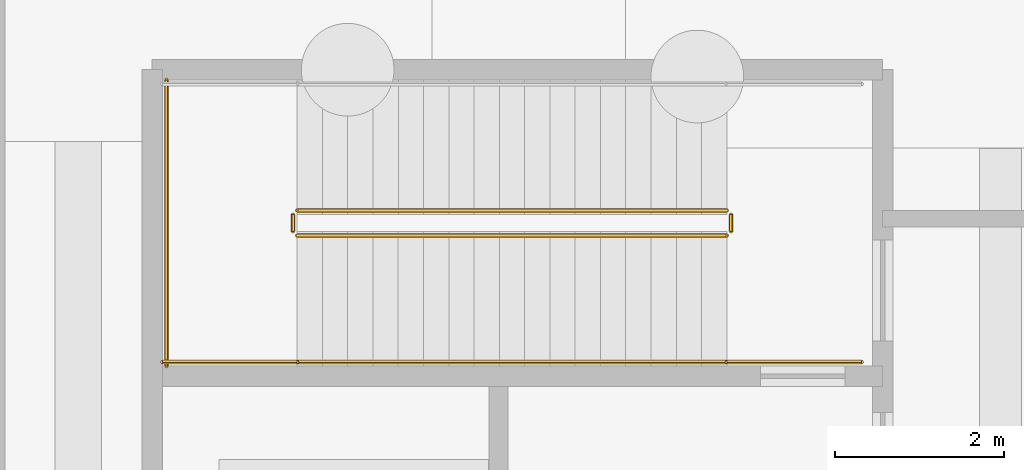
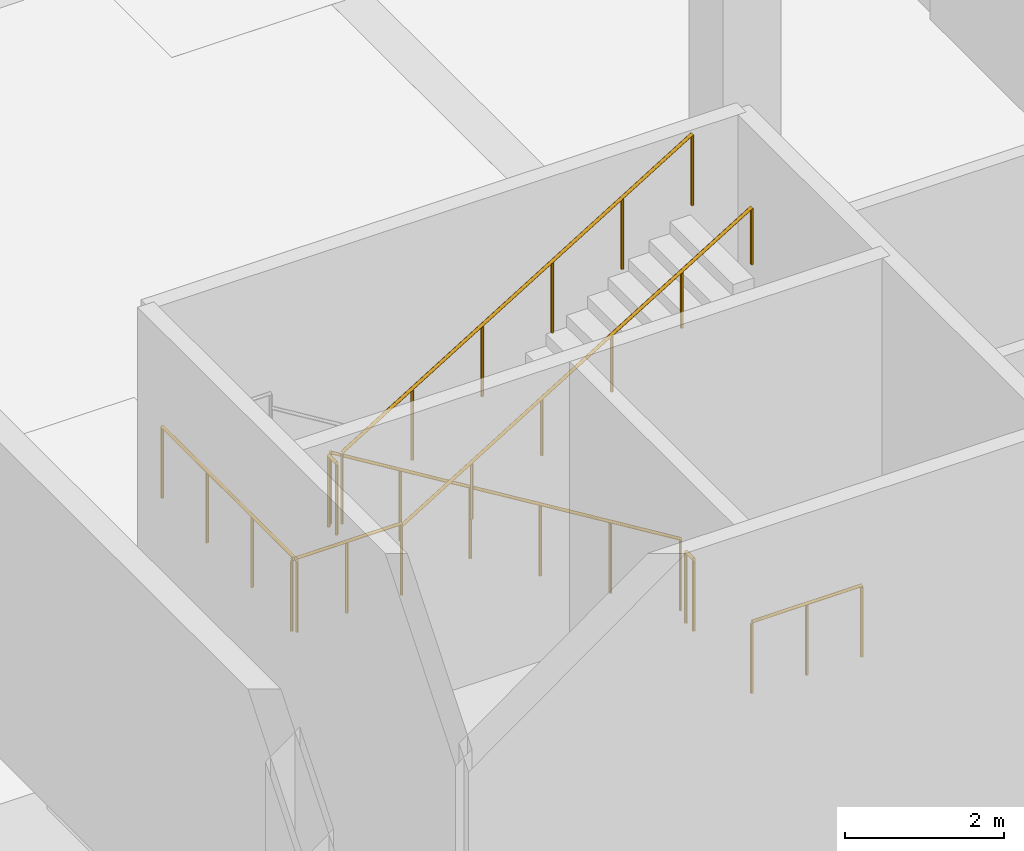
# One storey, part 100 of 117: 8 railings.
"""IFC4 building model written with IfcOpenShell, lengths in metres."""

from ifc_helpers import new_model, si_unit, direction, frame, origin, origin_2d, place, context, subcontext, project, spatial, circle, extrude, material, type_object, element, save


model = new_model("IFC4")

# Units and contexts
model_context = context("Model", 3, precision=1e-05, world=origin(), true_north=direction((0.0, 1.0)))
body_context = subcontext(model_context, "Body", "Model", "MODEL_VIEW")
ifc_project = project(units=[si_unit("LENGTHUNIT", "METRE"), si_unit("AREAUNIT", "SQUARE_METRE"), si_unit("VOLUMEUNIT", "CUBIC_METRE"), si_unit("PLANEANGLEUNIT", "RADIAN"), si_unit("MASSUNIT", "GRAM", prefix="KILO")], contexts=[model_context])

# Site, building, storey
site_placement = place(None, origin())
site = spatial("IfcSite", under=ifc_project, at=site_placement, CompositionType="ELEMENT")
building_placement = place(site_placement, origin())
building = spatial("IfcBuilding", under=site, at=building_placement, Name="Kamomehara Wholesale Market", CompositionType="ELEMENT")
storey_placement = place(building_placement, origin())
storey = spatial("IfcBuildingStorey", under=building, at=storey_placement, Name="L00", CompositionType="ELEMENT", Elevation=0.0)

# Railings
ifc_material_1 = material(Name="Steel SN400B", Category="steel")
railing_type_1 = type_object("IfcRailingType", Name="RAL-HND-900", PredefinedType="HANDRAIL", material=ifc_material_1)
railing_1_placement = place(storey_placement, frame((3.64990234375, 65.949951171875, 3.4833984375)))
element("IfcRailing", 1, at=railing_1_placement, inside=storey, type_object=railing_type_1, Name="L00 ST-03 stair handrail 2", PredefinedType="HANDRAIL", context=body_context, shape_type="SweptSolid", body=[
    extrude(circle(Radius=0.02392578125, at=origin_2d()), frame((0.0, 0.0, 0.8759765625), z_axis=(0.853283853024, 0.0, 0.521446705012), x_axis=(0.0, 1.0, 0.0)), (0.0, 0.0, 1.0), 5.97705078125),
    extrude(circle(Radius=0.02099609375, at=origin_2d()), origin(), (0.0, 0.0, 1.0), 0.851806640625),
    extrude(circle(Radius=0.02099609375, at=origin_2d()), frame((1.02001953125, 0.0, 0.623291015625)), (0.0, 0.0, 1.0), 0.851806640625),
    extrude(circle(Radius=0.02099609375, at=origin_2d()), frame((2.0400390625, 0.0, 1.24658203125)), (0.0, 0.0, 1.0), 0.851806640625),
    extrude(circle(Radius=0.02099609375, at=origin_2d()), frame((3.06005859375, 0.0, 1.8701171875)), (0.0, 0.0, 1.0), 0.851806640625),
    extrude(circle(Radius=0.02099609375, at=origin_2d()), frame((4.080078125, 0.0, 2.493408203125)), (0.0, 0.0, 1.0), 0.851806640625),
    extrude(circle(Radius=0.02099609375, at=origin_2d()), frame((5.10009765625, 0.0, 3.11669921875)), (0.0, 0.0, 1.0), 0.851806640625),
])
ifc_material_2 = material(Name="Steel SN400B", Category="steel")
railing_type_2 = type_object("IfcRailingType", Name="RAL-INT-1100", PredefinedType="BALUSTRADE", material=ifc_material_2)
railing_2_placement = place(storey_placement, frame((8.75, 67.75, 0.183349609375)))
element("IfcRailing", 2, at=railing_2_placement, inside=storey, type_object=railing_type_2, Name="L00 ST-03 stair guard 1", PredefinedType="BALUSTRADE", context=body_context, shape_type="SweptSolid", body=[
    extrude(circle(Radius=0.02392578125, at=origin_2d()), frame((0.0, 0.0, 1.09619140625), z_axis=(-0.853283853024, 0.0, 0.521446705012), x_axis=(0.0, -1.0, 0.0)), (0.0, 0.0, 1.0), 5.97705078125),
    extrude(circle(Radius=0.02099609375, at=origin_2d()), origin(), (0.0, 0.0, 1.0), 1.072021484375),
    extrude(circle(Radius=0.02099609375, at=origin_2d()), frame((-1.02001953125, 0.0, 0.623291015625)), (0.0, 0.0, 1.0), 1.072021484375),
    extrude(circle(Radius=0.02099609375, at=origin_2d()), frame((-2.0400390625, 0.0, 1.24658203125)), (0.0, 0.0, 1.0), 1.072021484375),
    extrude(circle(Radius=0.02099609375, at=origin_2d()), frame((-3.06005859375, 0.0, 1.8701171875)), (0.0, 0.0, 1.0), 1.072021484375),
    extrude(circle(Radius=0.02099609375, at=origin_2d()), frame((-4.080078125, 0.0, 2.493408203125)), (0.0, 0.0, 1.0), 1.072021484375),
    extrude(circle(Radius=0.02099609375, at=origin_2d()), frame((-5.10009765625, 0.0, 3.11669921875)), (0.0, 0.0, 1.0), 1.072021484375),
])
railing_3_placement = place(storey_placement, frame((3.60009765625, 67.699951171875, 3.300048828125)))
element("IfcRailing", 3, at=railing_3_placement, inside=storey, type_object=railing_type_2, Name="L00 ST-03 stair guard 2", PredefinedType="BALUSTRADE", context=body_context, shape_type="SweptSolid", body=[
    extrude(circle(Radius=0.02392578125, at=origin_2d()), frame((0.0, 0.0, 1.09619140625), z_axis=(0.0, -1.0, 0.0), x_axis=(1.0, 0.0, 0.0)), (0.0, 0.0, 1.0), 0.199951171875),
    extrude(circle(Radius=0.02099609375, at=origin_2d()), origin(), (0.0, 0.0, 1.0), 1.072021484375),
    extrude(circle(Radius=0.02099609375, at=origin_2d()), frame((0.0, -0.199951171875, 0.0)), (0.0, 0.0, 1.0), 1.072021484375),
])
railing_4_placement = place(storey_placement, frame((3.64990234375, 65.949951171875, 3.300048828125)))
element("IfcRailing", 4, at=railing_4_placement, inside=storey, type_object=railing_type_2, Name="L00 ST-03 stair guard 4", PredefinedType="BALUSTRADE", context=body_context, shape_type="SweptSolid", body=[
    extrude(circle(Radius=0.02392578125, at=origin_2d()), frame((0.0, 0.0, 1.09619140625), z_axis=(-1.0, 0.0, 0.0), x_axis=(0.0, -1.0, 0.0)), (0.0, 0.0, 1.0), 1.599853515625),
    extrude(circle(Radius=0.02099609375, at=origin_2d()), origin(), (0.0, 0.0, 1.0), 1.072021484375),
    extrude(circle(Radius=0.02099609375, at=origin_2d()), frame((-0.7998046875, 0.0, 0.0)), (0.0, 0.0, 1.0), 1.072021484375),
    extrude(circle(Radius=0.02099609375, at=origin_2d()), frame((-1.599853515625, 0.0, 0.0)), (0.0, 0.0, 1.0), 1.072021484375),
])
railing_5_placement = place(storey_placement, frame((2.10009765625, 69.300048828125, 3.300048828125)))
element("IfcRailing", 5, at=railing_5_placement, inside=storey, type_object=railing_type_2, Name="L00 ST-03 stair guard 5", PredefinedType="BALUSTRADE", context=body_context, shape_type="SweptSolid", body=[
    extrude(circle(Radius=0.02392578125, at=origin_2d()), frame((0.0, 0.0, 1.09619140625), z_axis=(0.0, -1.0, 0.0), x_axis=(1.0, 0.0, 0.0)), (0.0, 0.0, 1.0), 3.400146484375),
    extrude(circle(Radius=0.02099609375, at=origin_2d()), origin(), (0.0, 0.0, 1.0), 1.072021484375),
    extrude(circle(Radius=0.02099609375, at=origin_2d()), frame((0.0, -1.13330078125, 0.0)), (0.0, 0.0, 1.0), 1.072021484375),
    extrude(circle(Radius=0.02099609375, at=origin_2d()), frame((0.0, -2.266845703125, 0.0)), (0.0, 0.0, 1.0), 1.072021484375),
    extrude(circle(Radius=0.02099609375, at=origin_2d()), frame((0.0, -3.400146484375, 0.0)), (0.0, 0.0, 1.0), 1.072021484375),
])
railing_6_placement = place(storey_placement, frame((3.64990234375, 67.449951171875, 3.4833984375)))
element("IfcRailing", 6, at=railing_6_placement, inside=storey, type_object=railing_type_2, Name="L00 ST-03 stair guard 6", PredefinedType="BALUSTRADE", context=body_context, shape_type="SweptSolid", body=[
    extrude(circle(Radius=0.02392578125, at=origin_2d()), frame((0.0, 0.0, 1.09619140625), z_axis=(0.853283853024, 0.0, 0.521446705012), x_axis=(0.0, 1.0, 0.0)), (0.0, 0.0, 1.0), 5.97705078125),
    extrude(circle(Radius=0.02099609375, at=origin_2d()), origin(), (0.0, 0.0, 1.0), 1.072021484375),
    extrude(circle(Radius=0.02099609375, at=origin_2d()), frame((1.02001953125, 0.0, 0.623291015625)), (0.0, 0.0, 1.0), 1.072021484375),
    extrude(circle(Radius=0.02099609375, at=origin_2d()), frame((2.0400390625, 0.0, 1.24658203125)), (0.0, 0.0, 1.0), 1.072021484375),
    extrude(circle(Radius=0.02099609375, at=origin_2d()), frame((3.06005859375, 0.0, 1.8701171875)), (0.0, 0.0, 1.0), 1.072021484375),
    extrude(circle(Radius=0.02099609375, at=origin_2d()), frame((4.080078125, 0.0, 2.493408203125)), (0.0, 0.0, 1.0), 1.072021484375),
    extrude(circle(Radius=0.02099609375, at=origin_2d()), frame((5.10009765625, 0.0, 3.11669921875)), (0.0, 0.0, 1.0), 1.072021484375),
])
railing_7_placement = place(storey_placement, frame((8.800048828125, 67.699951171875, 0.0)))
element("IfcRailing", 7, at=railing_7_placement, inside=storey, type_object=railing_type_2, Name="L00 ST-03 stair guard 7", PredefinedType="BALUSTRADE", context=body_context, shape_type="SweptSolid", body=[
    extrude(circle(Radius=0.02392578125, at=origin_2d()), frame((0.0, 0.0, 1.09619140625), z_axis=(0.0, -1.0, 0.0), x_axis=(1.0, 0.0, 0.0)), (0.0, 0.0, 1.0), 0.199951171875),
    extrude(circle(Radius=0.02099609375, at=origin_2d()), origin(), (0.0, 0.0, 1.0), 1.072021484375),
    extrude(circle(Radius=0.02099609375, at=origin_2d()), frame((0.0, -0.199951171875, 0.0)), (0.0, 0.0, 1.0), 1.072021484375),
])
railing_8_placement = place(storey_placement, frame((10.35009765625, 65.949951171875, 0.0)))
element("IfcRailing", 8, at=railing_8_placement, inside=storey, type_object=railing_type_2, Name="L00 ST-03 stair guard 9", PredefinedType="BALUSTRADE", context=body_context, shape_type="SweptSolid", body=[
    extrude(circle(Radius=0.02392578125, at=origin_2d()), frame((0.0, 0.0, 1.09619140625), z_axis=(-1.0, 0.0, 0.0), x_axis=(0.0, -1.0, 0.0)), (0.0, 0.0, 1.0), 1.60009765625),
    extrude(circle(Radius=0.02099609375, at=origin_2d()), origin(), (0.0, 0.0, 1.0), 1.072021484375),
    extrude(circle(Radius=0.02099609375, at=origin_2d()), frame((-0.800048828125, 0.0, 0.0)), (0.0, 0.0, 1.0), 1.072021484375),
    extrude(circle(Radius=0.02099609375, at=origin_2d()), frame((-1.60009765625, 0.0, 0.0)), (0.0, 0.0, 1.0), 1.072021484375),
])

save(model, "model.ifc")
